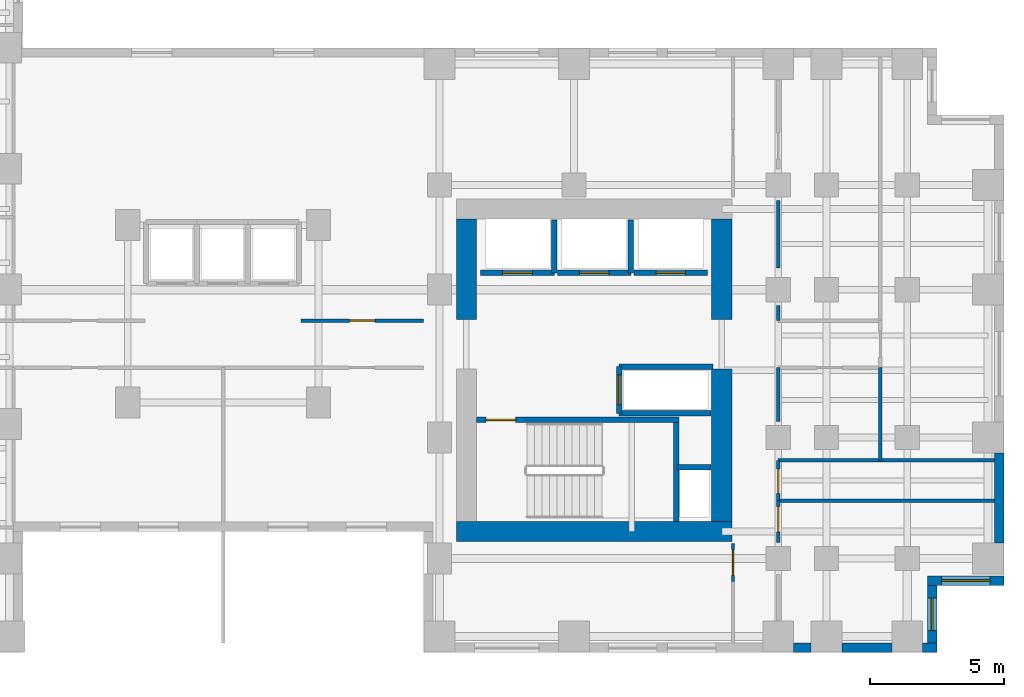
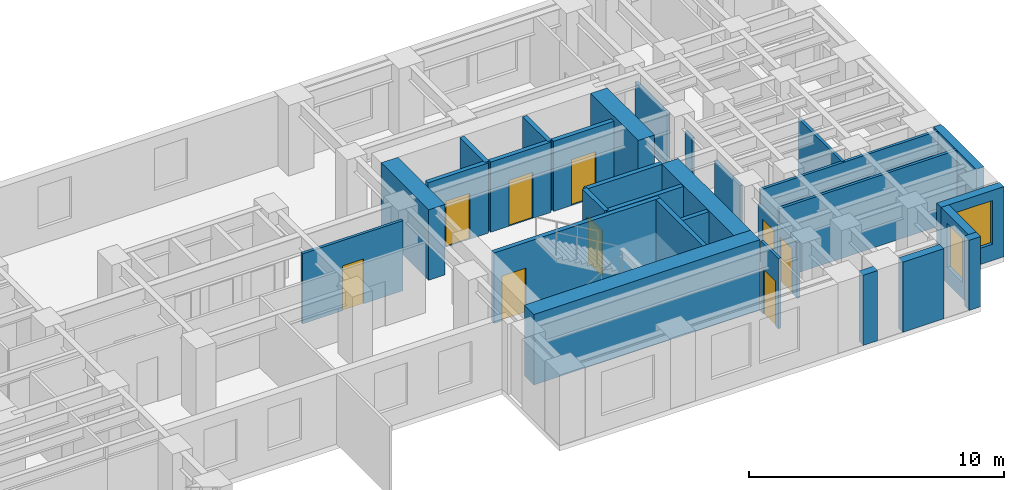
# One storey, part 8 of 13: 31 walls, 9 doors, 2 windows, 11 openings.
"""IFC4 building model written with IfcOpenShell, lengths in metres."""

from ifc_helpers import new_model, si_unit, direction, frame, frame_2d, origin, place, context, subcontext, project, spatial, rectangle, extrude, source, transform, mapped, material, layer, layer_set, type_object, element, fill, save


model = new_model("IFC4")

# Units and contexts
model_context = context("Model", 3, precision=1e-05, world=origin(), true_north=direction((0.0, 1.0)))
body_context = subcontext(model_context, "Body", "Model", "MODEL_VIEW")
ifc_project = project(units=[si_unit("LENGTHUNIT", "METRE"), si_unit("AREAUNIT", "SQUARE_METRE"), si_unit("VOLUMEUNIT", "CUBIC_METRE"), si_unit("PLANEANGLEUNIT", "RADIAN"), si_unit("MASSUNIT", "GRAM", prefix="KILO")], contexts=[model_context])

# Site, building, storey
site_placement = place(None, origin())
site = spatial("IfcSite", under=ifc_project, at=site_placement, CompositionType="ELEMENT")
building_placement = place(site_placement, origin())
building = spatial("IfcBuilding", under=site, at=building_placement, Name="Kharzan Plaza Tower", CompositionType="ELEMENT")
storey_placement = place(building_placement, frame((0.0, 0.0, 77.39990234375)))
storey = spatial("IfcBuildingStorey", under=building, at=storey_placement, Name="L20", CompositionType="ELEMENT", Elevation=77.39990234375)

# Wall, opening, window
ifc_material_1 = material(Name="Concrete C40/50", Category="concrete")
ifc_layer_1 = layer(ifc_material_1, 0.35009765625)
ifc_layer_set_1 = layer_set([ifc_layer_1], Name="Concrete C40/50")
wall_type_1 = type_object("IfcWallType", Name="WL-EXT-MAS-Z2", PredefinedType="SOLIDWALL", material=ifc_layer_set_1)
wall_1_placement = place(storey_placement, frame((53.324951171875, 0.347900390625, 0.0), z_axis=(0.0, 0.0, 1.0), x_axis=(0.0, 1.0, 0.0)))
wall_1 = element("IfcWall", 1, at=wall_1_placement, inside=storey, type_object=wall_type_1, Name="L20 Masonry-Frame Exterior Wall 36", PredefinedType="SOLIDWALL", context=body_context, shape_type="SweptSolid", body=[
    extrude(rectangle(XDim=2.154052734375, YDim=0.35009765625, at=frame_2d((1.0771484375, 0.0))), origin(), (0.0, 0.0, 1.0), 3.364990234375),
])
opening_1_placement = place(wall_1_placement, frame((0.47705078125, 0.0, 0.780029296875)))
opening_1 = element("IfcOpeningElement", 2, at=opening_1_placement, cuts=wall_1, Name="Opening W3", PredefinedType="OPENING", context=body_context, shape_type="SweptSolid", body=[
    extrude(rectangle(XDim=1.199951171875, YDim=2.10009765625, at=frame_2d((0.60009765625, 1.050048828125))), frame((0.0, 0.18505859375, 0.0), z_axis=(0.0, -1.0, 0.0), x_axis=(1.0, 0.0, 0.0)), (0.0, 0.0, 1.0), 0.3701171875),
])
ifc_material_2 = material(Name="Low-E Double Glazing", Category="glass")
window_type_1 = type_object("IfcWindowType", Name="WN-REC-1200x2100", PartitioningType="SINGLE_PANEL", PredefinedType="WINDOW", material=ifc_material_2)
shared_shape_1 = source(origin(), body_context, "Body", "SweptSolid", [
    extrude(rectangle(XDim=1.199951171875, YDim=2.10009765625, at=frame_2d((0.60009765625, 1.050048828125))), frame((0.0, 0.030029296875, 0.0), z_axis=(0.0, -1.0, 0.0), x_axis=(1.0, 0.0, 0.0)), (0.0, 0.0, 1.0), 0.06005859375),
])
window_1_placement = place(opening_1_placement, origin())
window_1 = element("IfcWindow", 3, at=window_1_placement, inside=storey, type_object=window_type_1, Name="L20 Recessed Solar-Control Window 36-1", OverallHeight=2.10009765625, OverallWidth=1.199951171875, PartitioningType="SINGLE_PANEL", PredefinedType="WINDOW", context=body_context, shape_type="MappedRepresentation", body=[
    mapped(shared_shape_1, transform((0.0, 0.0, 0.0), x_axis=(1.0, 0.0, 0.0), y_axis=(0.0, 1.0, 0.0), z_axis=(0.0, 0.0, 1.0))),
])
fill(opening_1, window_1)

wall_2_placement = place(storey_placement, frame((53.14990234375, 2.675048828125, 0.0), z_axis=(0.0, 0.0, 1.0), x_axis=(1.0, 0.0, 0.0)))
wall_2 = element("IfcWall", 4, at=wall_2_placement, inside=storey, type_object=wall_type_1, Name="L20 Masonry-Frame Exterior Wall 37", PredefinedType="SOLIDWALL", context=body_context, shape_type="SweptSolid", body=[
    extrude(rectangle(XDim=2.85009765625, YDim=0.35009765625, at=frame_2d((1.425048828125, 0.0))), origin(), (0.0, 0.0, 1.0), 3.364990234375),
])
opening_2_placement = place(wall_2_placement, frame((0.52490234375, 0.0, 0.780029296875)))
opening_2 = element("IfcOpeningElement", 5, at=opening_2_placement, cuts=wall_2, Name="Opening W1", PredefinedType="OPENING", context=body_context, shape_type="SweptSolid", body=[
    extrude(rectangle(XDim=1.800048828125, YDim=2.10009765625, at=frame_2d((0.89990234375, 1.050048828125))), frame((0.0, 0.18505859375, 0.0), z_axis=(0.0, -1.0, 0.0), x_axis=(1.0, 0.0, 0.0)), (0.0, 0.0, 1.0), 0.3701171875),
])
window_type_2 = type_object("IfcWindowType", Name="WN-REC-1800x2100", PartitioningType="SINGLE_PANEL", PredefinedType="WINDOW", material=ifc_material_2)
shared_shape_2 = source(origin(), body_context, "Body", "SweptSolid", [
    extrude(rectangle(XDim=1.800048828125, YDim=2.10009765625, at=frame_2d((0.89990234375, 1.050048828125))), frame((0.0, 0.030029296875, 0.0), z_axis=(0.0, -1.0, 0.0), x_axis=(1.0, 0.0, 0.0)), (0.0, 0.0, 1.0), 0.06005859375),
])
window_2_placement = place(opening_2_placement, origin())
window_2 = element("IfcWindow", 6, at=window_2_placement, inside=storey, type_object=window_type_2, Name="L20 Recessed Solar-Control Window 37-1", OverallHeight=2.10009765625, OverallWidth=1.800048828125, PartitioningType="SINGLE_PANEL", PredefinedType="WINDOW", context=body_context, shape_type="MappedRepresentation", body=[
    mapped(shared_shape_2, transform((0.0, 0.0, 0.0), x_axis=(1.0, 0.0, 0.0), y_axis=(0.0, 1.0, 0.0), z_axis=(0.0, 0.0, 1.0))),
])
fill(opening_2, window_2)

# Wall, opening, door
ifc_material_3 = material(Name="Fire-Rated Gypsum Board Partition", Category="gypsum")
ifc_layer_2 = layer(ifc_material_3, 0.125)
ifc_layer_set_2 = layer_set([ifc_layer_2], Name="Fire-Rated Gypsum Board Partition")
wall_type_2 = type_object("IfcWallType", Name="WL-INT-PART-125", PredefinedType="PARTITIONING", material=ifc_layer_set_2)
wall_3_placement = place(storey_placement, frame((47.60009765625, 4.090087890625, 0.0), z_axis=(0.0, 0.0, 1.0), x_axis=(0.0, 1.0, 0.0)))
wall_3 = element("IfcWall", 7, at=wall_3_placement, inside=storey, type_object=wall_type_2, Name="L20 Interior Partition SH-B2W0", PredefinedType="PARTITIONING", context=body_context, shape_type="SweptSolid", body=[
    extrude(rectangle(XDim=1.559814453125, YDim=0.125, at=frame_2d((0.77978515625, 0.0))), origin(), (0.0, 0.0, 1.0), 2.677001953125),
])
opening_3_placement = place(wall_3_placement, frame((0.38818359375, 0.0, 0.0)))
opening_3 = element("IfcOpeningElement", 8, at=opening_3_placement, cuts=wall_3, Name="Opening OD1", PredefinedType="OPENING", context=body_context, shape_type="SweptSolid", body=[
    extrude(rectangle(XDim=0.949951171875, YDim=2.14990234375, at=frame_2d((0.47509765625, 1.074951171875))), frame((0.0, 0.072509765625, 0.0), z_axis=(0.0, -1.0, 0.0), x_axis=(1.0, 0.0, 0.0)), (0.0, 0.0, 1.0), 0.14501953125),
])
ifc_material_4 = material(Name="Acoustic Solid-Core Stained Oak", Category="timber")
door_type_1 = type_object("IfcDoorType", Name="DR-OFF-SINGLE", OperationType="NOTDEFINED", PredefinedType="DOOR", material=ifc_material_4)
shared_shape_3 = source(origin(), body_context, "Body", "SweptSolid", [
    extrude(rectangle(XDim=0.949951171875, YDim=2.14990234375, at=frame_2d((0.47509765625, 1.074951171875))), frame((0.0, 0.02490234375, 0.0), z_axis=(0.0, -1.0, 0.0), x_axis=(1.0, 0.0, 0.0)), (0.0, 0.0, 1.0), 0.050048828125),
])
door_1_placement = place(opening_3_placement, origin())
door_1 = element("IfcDoor", 9, at=door_1_placement, inside=storey, type_object=door_type_1, Name="L20 Wing B South Office Door", OperationType="SINGLE_SWING_RIGHT", OverallHeight=2.14990234375, OverallWidth=0.949951171875, PredefinedType="DOOR", context=body_context, shape_type="MappedRepresentation", body=[
    mapped(shared_shape_3, transform((0.0, 0.0, 0.0), x_axis=(1.0, 0.0, 0.0), y_axis=(0.0, 1.0, 0.0), z_axis=(0.0, 0.0, 1.0))),
])
fill(opening_3, door_1)

wall_4_placement = place(storey_placement, frame((47.60009765625, 5.64990234375, 0.0), z_axis=(0.0, 0.0, 1.0), x_axis=(0.0, 1.0, 0.0)))
wall_4 = element("IfcWall", 10, at=wall_4_placement, inside=storey, type_object=wall_type_2, Name="L20 Interior Partition SH-B2WC", PredefinedType="PARTITIONING", context=body_context, shape_type="SweptSolid", body=[
    extrude(rectangle(XDim=1.5, YDim=0.125, at=frame_2d((0.75, 0.0))), origin(), (0.0, 0.0, 1.0), 2.677001953125),
])
opening_4_placement = place(wall_4_placement, frame((0.27490234375, 0.0, 0.0)))
opening_4 = element("IfcOpeningElement", 11, at=opening_4_placement, cuts=wall_4, Name="Opening WD1", PredefinedType="OPENING", context=body_context, shape_type="SweptSolid", body=[
    extrude(rectangle(XDim=0.89990234375, YDim=2.14990234375, at=frame_2d((0.449951171875, 1.074951171875))), frame((0.0, 0.072509765625, 0.0), z_axis=(0.0, -1.0, 0.0), x_axis=(1.0, 0.0, 0.0)), (0.0, 0.0, 1.0), 0.14501953125),
])
ifc_material_5 = material(Name="Moisture-Resistant Fire-Rated Laminate", Category="timber")
door_type_2 = type_object("IfcDoorType", Name="DR-WC-900", OperationType="NOTDEFINED", PredefinedType="DOOR", material=ifc_material_5)
shared_shape_4 = source(origin(), body_context, "Body", "SweptSolid", [
    extrude(rectangle(XDim=0.89990234375, YDim=2.14990234375, at=frame_2d((0.449951171875, 1.074951171875))), frame((0.0, 0.02490234375, 0.0), z_axis=(0.0, -1.0, 0.0), x_axis=(1.0, 0.0, 0.0)), (0.0, 0.0, 1.0), 0.050048828125),
])
door_2_placement = place(opening_4_placement, origin())
door_2 = element("IfcDoor", 12, at=door_2_placement, inside=storey, type_object=door_type_2, Name="L20 Wing B Washroom Door", OperationType="SINGLE_SWING_LEFT", OverallHeight=2.14990234375, OverallWidth=0.89990234375, PredefinedType="DOOR", context=body_context, shape_type="MappedRepresentation", body=[
    mapped(shared_shape_4, transform((0.0, 0.0, 0.0), x_axis=(1.0, 0.0, 0.0), y_axis=(0.0, 1.0, 0.0), z_axis=(0.0, 0.0, 1.0))),
])
fill(opening_4, door_2)

wall_5_placement = place(storey_placement, frame((45.919921875, 2.64990234375, 0.0), z_axis=(0.0, 0.0, 1.0), x_axis=(0.0, 1.0, 0.0)))
wall_5 = element("IfcWall", 13, at=wall_5_placement, inside=storey, type_object=wall_type_2, Name="L20 Interior Partition SH-RBSE", PredefinedType="PARTITIONING", context=body_context, shape_type="SweptSolid", body=[
    extrude(rectangle(XDim=1.400146484375, YDim=0.125, at=frame_2d((0.7001953125, 0.0))), origin(), (0.0, 0.0, 1.0), 3.364990234375),
])
opening_5_placement = place(wall_5_placement, frame((0.22509765625, 0.0, 0.0)))
opening_5 = element("IfcOpeningElement", 14, at=opening_5_placement, cuts=wall_5, Name="Opening OD1", PredefinedType="OPENING", context=body_context, shape_type="SweptSolid", body=[
    extrude(rectangle(XDim=0.949951171875, YDim=2.14990234375, at=frame_2d((0.47509765625, 1.074951171875))), frame((0.0, 0.072509765625, 0.0), z_axis=(0.0, -1.0, 0.0), x_axis=(1.0, 0.0, 0.0)), (0.0, 0.0, 1.0), 0.14501953125),
])
door_3_placement = place(opening_5_placement, origin())
door_3 = element("IfcDoor", 15, at=door_3_placement, inside=storey, type_object=door_type_1, Name="L20 South-East Corner Office Door", OperationType="SINGLE_SWING_RIGHT", OverallHeight=2.14990234375, OverallWidth=0.949951171875, PredefinedType="DOOR", context=body_context, shape_type="MappedRepresentation", body=[
    mapped(shared_shape_3, transform((0.0, 0.0, 0.0), x_axis=(1.0, 0.0, 0.0), y_axis=(0.0, 1.0, 0.0), z_axis=(0.0, 0.0, 1.0))),
])
fill(opening_5, door_3)

wall_6_placement = place(storey_placement, frame((29.85009765625, 12.35009765625, 0.0), z_axis=(0.0, 0.0, 1.0), x_axis=(1.0, 0.0, 0.0)))
wall_6 = element("IfcWall", 16, at=wall_6_placement, inside=storey, type_object=wall_type_2, Name="L20 Interior Partition SH-SPNE1", PredefinedType="PARTITIONING", context=body_context, shape_type="SweptSolid", body=[
    extrude(rectangle(XDim=4.5498046875, YDim=0.125, at=frame_2d((2.27490234375, 0.0))), origin(), (0.0, 0.0, 1.0), 3.364990234375),
])
opening_6_placement = place(wall_6_placement, frame((1.800048828125, 0.0, 0.0)))
opening_6 = element("IfcOpeningElement", 17, at=opening_6_placement, cuts=wall_6, Name="Opening OD1", PredefinedType="OPENING", context=body_context, shape_type="SweptSolid", body=[
    extrude(rectangle(XDim=0.949951171875, YDim=2.14990234375, at=frame_2d((0.47509765625, 1.074951171875))), frame((0.0, 0.072509765625, 0.0), z_axis=(0.0, -1.0, 0.0), x_axis=(1.0, 0.0, 0.0)), (0.0, 0.0, 1.0), 0.14501953125),
])
door_4_placement = place(opening_6_placement, origin())
door_4 = element("IfcDoor", 18, at=door_4_placement, inside=storey, type_object=door_type_1, Name="L20 North-East Spine Door", OperationType="SINGLE_SWING_LEFT", OverallHeight=2.14990234375, OverallWidth=0.949951171875, PredefinedType="DOOR", context=body_context, shape_type="MappedRepresentation", body=[
    mapped(shared_shape_3, transform((0.0, 0.0, 0.0), x_axis=(1.0, 0.0, 0.0), y_axis=(0.0, 1.0, 0.0), z_axis=(0.0, 0.0, 1.0))),
])
fill(opening_6, door_4)

ifc_layer_3 = layer(ifc_material_1, 0.199951171875)
ifc_layer_set_3 = layer_set([ifc_layer_3], Name="Concrete C40/50")
wall_type_3 = type_object("IfcWallType", Name="WL-INT-SHAFT-200", PredefinedType="PARTITIONING", material=ifc_layer_set_3)
wall_7_placement = place(storey_placement, frame((36.530029296875, 14.1298828125, 0.0), z_axis=(0.0, 0.0, 1.0), x_axis=(1.0, 0.0, 0.0)))
wall_7 = element("IfcWall", 19, at=wall_7_placement, inside=storey, type_object=wall_type_3, Name="L20 Interior Partition SHF-PL-L1-S", PredefinedType="PARTITIONING", context=body_context, shape_type="SweptSolid", body=[
    extrude(rectangle(XDim=2.739990234375, YDim=0.199951171875, at=frame_2d((1.3701171875, 0.0))), origin(), (0.0, 0.0, 1.0), 3.364990234375),
])
opening_7_placement = place(wall_7_placement, frame((0.820068359375, 0.0, 0.0)))
opening_7 = element("IfcOpeningElement", 20, at=opening_7_placement, cuts=wall_7, Name="Opening LD", PredefinedType="OPENING", context=body_context, shape_type="SweptSolid", body=[
    extrude(rectangle(XDim=1.10009765625, YDim=2.199951171875, at=frame_2d((0.550048828125, 1.10009765625))), frame((0.0, 0.10986328125, 0.0), z_axis=(0.0, -1.0, 0.0), x_axis=(1.0, 0.0, 0.0)), (0.0, 0.0, 1.0), 0.219970703125),
])
ifc_material_6 = material(Name="Brushed Stainless Steel", Category="steel")
door_type_3 = type_object("IfcDoorType", Name="DR-LIFT-SLIDE", OperationType="SLIDING_TO_LEFT", PredefinedType="DOOR", material=ifc_material_6)
shared_shape_5 = source(origin(), body_context, "Body", "SweptSolid", [
    extrude(rectangle(XDim=1.10009765625, YDim=2.199951171875, at=frame_2d((0.550048828125, 1.10009765625))), frame((0.0, 0.02490234375, 0.0), z_axis=(0.0, -1.0, 0.0), x_axis=(1.0, 0.0, 0.0)), (0.0, 0.0, 1.0), 0.050048828125),
])
door_5_placement = place(opening_7_placement, origin())
door_5 = element("IfcDoor", 21, at=door_5_placement, inside=storey, type_object=door_type_3, Name="L20 Low-Rise Passenger Lift PL-L1 Sliding Landing Door", OperationType="SLIDING_TO_LEFT", OverallHeight=2.199951171875, OverallWidth=1.10009765625, PredefinedType="DOOR", context=body_context, shape_type="MappedRepresentation", body=[
    mapped(shared_shape_5, transform((0.0, 0.0, 0.0), x_axis=(1.0, 0.0, 0.0), y_axis=(0.0, 1.0, 0.0), z_axis=(0.0, 0.0, 1.0))),
])
fill(opening_7, door_5)

wall_8_placement = place(storey_placement, frame((39.3798828125, 14.1298828125, 0.0), z_axis=(0.0, 0.0, 1.0), x_axis=(1.0, 0.0, 0.0)))
wall_8 = element("IfcWall", 22, at=wall_8_placement, inside=storey, type_object=wall_type_3, Name="L20 Interior Partition SHF-PL-L2-S", PredefinedType="PARTITIONING", context=body_context, shape_type="SweptSolid", body=[
    extrude(rectangle(XDim=2.740234375, YDim=0.199951171875, at=frame_2d((1.3701171875, 0.0))), origin(), (0.0, 0.0, 1.0), 3.364990234375),
])
opening_8_placement = place(wall_8_placement, frame((0.820068359375, 0.0, 0.0)))
opening_8 = element("IfcOpeningElement", 23, at=opening_8_placement, cuts=wall_8, Name="Opening LD", PredefinedType="OPENING", context=body_context, shape_type="SweptSolid", body=[
    extrude(rectangle(XDim=1.10009765625, YDim=2.199951171875, at=frame_2d((0.550048828125, 1.10009765625))), frame((0.0, 0.10986328125, 0.0), z_axis=(0.0, -1.0, 0.0), x_axis=(1.0, 0.0, 0.0)), (0.0, 0.0, 1.0), 0.219970703125),
])
door_6_placement = place(opening_8_placement, origin())
door_6 = element("IfcDoor", 24, at=door_6_placement, inside=storey, type_object=door_type_3, Name="L20 Low-Rise Passenger Lift PL-L2 Sliding Landing Door", OperationType="SLIDING_TO_LEFT", OverallHeight=2.199951171875, OverallWidth=1.10009765625, PredefinedType="DOOR", context=body_context, shape_type="MappedRepresentation", body=[
    mapped(shared_shape_5, transform((0.0, 0.0, 0.0), x_axis=(1.0, 0.0, 0.0), y_axis=(0.0, 1.0, 0.0), z_axis=(0.0, 0.0, 1.0))),
])
fill(opening_8, door_6)

wall_9_placement = place(storey_placement, frame((42.22998046875, 14.1298828125, 0.0), z_axis=(0.0, 0.0, 1.0), x_axis=(1.0, 0.0, 0.0)))
wall_9 = element("IfcWall", 25, at=wall_9_placement, inside=storey, type_object=wall_type_3, Name="L20 Interior Partition SHF-PL-L3-S", PredefinedType="PARTITIONING", context=body_context, shape_type="SweptSolid", body=[
    extrude(rectangle(XDim=2.739990234375, YDim=0.199951171875, at=frame_2d((1.3701171875, 0.0))), origin(), (0.0, 0.0, 1.0), 3.364990234375),
])
opening_9_placement = place(wall_9_placement, frame((0.820068359375, 0.0, 0.0)))
opening_9 = element("IfcOpeningElement", 26, at=opening_9_placement, cuts=wall_9, Name="Opening LD", PredefinedType="OPENING", context=body_context, shape_type="SweptSolid", body=[
    extrude(rectangle(XDim=1.10009765625, YDim=2.199951171875, at=frame_2d((0.550048828125, 1.10009765625))), frame((0.0, 0.10986328125, 0.0), z_axis=(0.0, -1.0, 0.0), x_axis=(1.0, 0.0, 0.0)), (0.0, 0.0, 1.0), 0.219970703125),
])
door_7_placement = place(opening_9_placement, origin())
door_7 = element("IfcDoor", 27, at=door_7_placement, inside=storey, type_object=door_type_3, Name="L20 Low-Rise Passenger Lift PL-L3 Sliding Landing Door", OperationType="SLIDING_TO_LEFT", OverallHeight=2.199951171875, OverallWidth=1.10009765625, PredefinedType="DOOR", context=body_context, shape_type="MappedRepresentation", body=[
    mapped(shared_shape_5, transform((0.0, 0.0, 0.0), x_axis=(1.0, 0.0, 0.0), y_axis=(0.0, 1.0, 0.0), z_axis=(0.0, 0.0, 1.0))),
])
fill(opening_9, door_7)

wall_10_placement = place(storey_placement, frame((41.679931640625, 8.89990234375, 0.0), z_axis=(0.0, 0.0, 1.0), x_axis=(0.0, 1.0, 0.0)))
wall_10 = element("IfcWall", 28, at=wall_10_placement, inside=storey, type_object=wall_type_3, Name="L20 Interior Partition SHF-SVL-2-W", PredefinedType="PARTITIONING", context=body_context, shape_type="SweptSolid", body=[
    extrude(rectangle(XDim=1.739990234375, YDim=0.199951171875, at=frame_2d((0.8701171875, 0.0))), origin(), (0.0, 0.0, 1.0), 3.364990234375),
])
opening_10_placement = place(wall_10_placement, frame((0.320068359375, 0.0, 0.0)))
opening_10 = element("IfcOpeningElement", 29, at=opening_10_placement, cuts=wall_10, Name="Opening LD", PredefinedType="OPENING", context=body_context, shape_type="SweptSolid", body=[
    extrude(rectangle(XDim=1.10009765625, YDim=2.199951171875, at=frame_2d((0.550048828125, 1.10009765625))), frame((0.0, 0.10986328125, 0.0), z_axis=(0.0, -1.0, 0.0), x_axis=(1.0, 0.0, 0.0)), (0.0, 0.0, 1.0), 0.219970703125),
])
door_8_placement = place(opening_10_placement, origin())
door_8 = element("IfcDoor", 30, at=door_8_placement, inside=storey, type_object=door_type_3, Name="L20 Service Lift SVL-2 Sliding Landing Door", OperationType="SLIDING_TO_LEFT", OverallHeight=2.199951171875, OverallWidth=1.10009765625, PredefinedType="DOOR", context=body_context, shape_type="MappedRepresentation", body=[
    mapped(shared_shape_5, transform((0.0, 0.0, 0.0), x_axis=(1.0, 0.0, 0.0), y_axis=(0.0, 1.0, 0.0), z_axis=(0.0, 0.0, 1.0))),
])
fill(opening_10, door_8)

ifc_material_7 = material(Name="Concrete C50/60", Category="concrete")
ifc_layer_4 = layer(ifc_material_7, 0.199951171875)
ifc_layer_set_4 = layer_set([ifc_layer_4], Name="Concrete C50/60")
wall_type_4 = type_object("IfcWallType", Name="WL-SHAFT-RC200", PredefinedType="SHEAR", material=ifc_layer_set_4)
wall_11_placement = place(storey_placement, frame((36.376953125, 8.655029296875, 0.0), z_axis=(0.0, 0.0, 1.0), x_axis=(1.0, 0.0, 0.0)))
wall_11 = element("IfcWall", 31, at=wall_11_placement, inside=storey, type_object=wall_type_4, Name="L20 Stair ST-3 North RC Shaft Wall", PredefinedType="SHEAR", context=body_context, shape_type="SweptSolid", body=[
    extrude(rectangle(XDim=7.528076171875, YDim=0.199951171875, at=frame_2d((3.76416015625, 0.0))), origin(), (0.0, 0.0, 1.0), 3.380126953125),
])
opening_11_placement = place(wall_11_placement, frame((0.35009765625, 0.0, 0.0)))
opening_11 = element("IfcOpeningElement", 32, at=opening_11_placement, cuts=wall_11, Name="Opening SD1", PredefinedType="OPENING", context=body_context, shape_type="SweptSolid", body=[
    extrude(rectangle(XDim=1.10009765625, YDim=2.14990234375, at=frame_2d((0.550048828125, 1.074951171875))), frame((0.0, 0.10986328125, 0.0), z_axis=(0.0, -1.0, 0.0), x_axis=(1.0, 0.0, 0.0)), (0.0, 0.0, 1.0), 0.219970703125),
])
ifc_material_8 = material(Name="Fire-Rated Hollow Galvanized Steel", Category="steel")
door_type_4 = type_object("IfcDoorType", Name="DR-STAIR-FD120", OperationType="NOTDEFINED", PredefinedType="DOOR", material=ifc_material_8)
shared_shape_6 = source(origin(), body_context, "Body", "SweptSolid", [
    extrude(rectangle(XDim=1.10009765625, YDim=2.14990234375, at=frame_2d((0.550048828125, 1.074951171875))), frame((0.0, 0.02490234375, 0.0), z_axis=(0.0, -1.0, 0.0), x_axis=(1.0, 0.0, 0.0)), (0.0, 0.0, 1.0), 0.050048828125),
])
door_9_placement = place(opening_11_placement, origin())
door_9 = element("IfcDoor", 33, at=door_9_placement, inside=storey, type_object=door_type_4, Name="L20 Stair ST-3 Fire Exit Door", OperationType="SINGLE_SWING_LEFT", OverallHeight=2.14990234375, OverallWidth=1.10009765625, PredefinedType="DOOR", context=body_context, shape_type="MappedRepresentation", body=[
    mapped(shared_shape_6, transform((0.0, 0.0, 0.0), x_axis=(1.0, 0.0, 0.0), y_axis=(0.0, 1.0, 0.0), z_axis=(0.0, 0.0, 1.0))),
])
fill(opening_11, door_9)

# Walls
shared_shape_7 = source(origin(), body_context, "Body", "SweptSolid", [
    extrude(rectangle(XDim=3.489990234375, YDim=0.199951171875, at=frame_2d((1.7451171875, 0.0))), origin(), (0.0, 0.0, 1.0), 3.364990234375),
])
wall_12_placement = place(storey_placement, frame((41.679931640625, 10.639892578125, 0.0), z_axis=(0.0, 0.0, 1.0), x_axis=(1.0, 0.0, 0.0)))
element("IfcWall", 34, at=wall_12_placement, inside=storey, type_object=wall_type_3, Name="L20 Interior Partition SHF-SVL-2-N", PredefinedType="PARTITIONING", context=body_context, shape_type="MappedRepresentation", body=[
    mapped(shared_shape_7, transform((0.0, 0.0, 0.0), x_axis=(1.0, 0.0, 0.0), y_axis=(0.0, 1.0, 0.0), z_axis=(0.0, 0.0, 1.0))),
])
shared_shape_8 = source(origin(), body_context, "Body", "SweptSolid", [
    extrude(rectangle(XDim=3.4501953125, YDim=0.125, at=frame_2d((1.72509765625, 0.0))), origin(), (0.0, 0.0, 1.0), 3.364990234375),
])
wall_13_placement = place(storey_placement, frame((51.39990234375, 7.14990234375, 0.0), z_axis=(0.0, 0.0, 1.0), x_axis=(0.0, 1.0, 0.0)))
element("IfcWall", 35, at=wall_13_placement, inside=storey, type_object=wall_type_2, Name="L20 Interior Partition SH-B2V1", PredefinedType="PARTITIONING", context=body_context, shape_type="MappedRepresentation", body=[
    mapped(shared_shape_8, transform((0.0, 0.0, 0.0), x_axis=(1.0, 0.0, 0.0), y_axis=(0.0, 1.0, 0.0), z_axis=(0.0, 0.0, 1.0))),
])
ifc_material_9 = material(Name="Concrete C60/75", Category="concrete")
ifc_layer_5 = layer(ifc_material_9, 0.75)
ifc_layer_set_5 = layer_set([ifc_layer_5], Name="Concrete C60/75")
wall_type_5 = type_object("IfcWallType", Name="WL-CORE-750", PredefinedType="SHEAR", material=ifc_layer_set_5)
shared_shape_9 = source(origin(), body_context, "Body", "SweptSolid", [
    extrude(rectangle(XDim=5.675048828125, YDim=0.75, at=frame_2d((2.83740234375, 0.0))), origin(), (0.0, 0.0, 1.0), 3.380126953125),
])
wall_14_placement = place(storey_placement, frame((45.5, 4.875, 0.0), z_axis=(0.0, 0.0, 1.0), x_axis=(0.0, 1.0, 0.0)))
element("IfcWall", 36, at=wall_14_placement, inside=storey, type_object=wall_type_5, Name="L20 CORE-B east shear pier 1", PredefinedType="SHEAR", context=body_context, shape_type="MappedRepresentation", body=[
    mapped(shared_shape_9, transform((0.0, 0.0, 0.0), x_axis=(1.0, 0.0, 0.0), y_axis=(0.0, 1.0, 0.0), z_axis=(0.0, 0.0, 1.0))),
])
shared_shape_10 = source(origin(), body_context, "Body", "SweptSolid", [
    extrude(rectangle(XDim=3.72509765625, YDim=0.75, at=frame_2d((1.862548828125, 0.0))), origin(), (0.0, 0.0, 1.0), 3.380126953125),
])
for number, where, z_axis, x_axis, name in (
    (37, (45.5, 12.39990234375, 0.0), (0.0, 0.0, 1.0), (0.0, 1.0, 0.0), "L20 CORE-B east shear pier 2"),
    (38, (36.0, 12.39990234375, 0.0), (0.0, 0.0, 1.0), (0.0, 1.0, 0.0), "L20 CORE-B west shear pier 2"),
):
    element("IfcWall", number, at=place(storey_placement, frame(where, z_axis=z_axis, x_axis=x_axis)), inside=storey, type_object=wall_type_5, Name=name, PredefinedType="SHEAR", context=body_context, shape_type="MappedRepresentation", body=[
        mapped(shared_shape_10, transform((0.0, 0.0, 0.0), x_axis=(1.0, 0.0, 0.0), y_axis=(0.0, 1.0, 0.0), z_axis=(0.0, 0.0, 1.0))),
    ])
shared_shape_11 = source(origin(), body_context, "Body", "SweptSolid", [
    extrude(rectangle(XDim=10.25, YDim=0.75, at=frame_2d((5.125, 0.0))), origin(), (0.0, 0.0, 1.0), 3.380126953125),
])
wall_15_placement = place(storey_placement, frame((35.625, 4.5, 0.0), z_axis=(0.0, 0.0, 1.0), x_axis=(1.0, 0.0, 0.0)))
element("IfcWall", 39, at=wall_15_placement, inside=storey, type_object=wall_type_5, Name="L20 CORE-B south RC shear wall", PredefinedType="SHEAR", context=body_context, shape_type="MappedRepresentation", body=[
    mapped(shared_shape_11, transform((0.0, 0.0, 0.0), x_axis=(1.0, 0.0, 0.0), y_axis=(0.0, 1.0, 0.0), z_axis=(0.0, 0.0, 1.0))),
])
shared_shape_12 = source(origin(), body_context, "Body", "SweptSolid", [
    extrude(rectangle(XDim=0.65380859375, YDim=0.35009765625, at=frame_2d((0.326904296875, 0.0))), origin(), (0.0, 0.0, 1.0), 3.364990234375),
])
wall_16_placement = place(storey_placement, frame((48.173095703125, 0.175048828125, 0.0), z_axis=(0.0, 0.0, 1.0), x_axis=(1.0, 0.0, 0.0)))
element("IfcWall", 40, at=wall_16_placement, inside=storey, type_object=wall_type_1, Name="L20 Masonry-Frame Exterior Wall 33", PredefinedType="SOLIDWALL", context=body_context, shape_type="MappedRepresentation", body=[
    mapped(shared_shape_12, transform((0.0, 0.0, 0.0), x_axis=(1.0, 0.0, 0.0), y_axis=(0.0, 1.0, 0.0), z_axis=(0.0, 0.0, 1.0))),
])
shared_shape_13 = source(origin(), body_context, "Body", "SweptSolid", [
    extrude(rectangle(XDim=1.85400390625, YDim=0.35009765625, at=frame_2d((0.927001953125, 0.0))), origin(), (0.0, 0.0, 1.0), 3.364990234375),
])
wall_17_placement = place(storey_placement, frame((49.972900390625, 0.175048828125, 0.0), z_axis=(0.0, 0.0, 1.0), x_axis=(1.0, 0.0, 0.0)))
element("IfcWall", 41, at=wall_17_placement, inside=storey, type_object=wall_type_1, Name="L20 Masonry-Frame Exterior Wall 34", PredefinedType="SOLIDWALL", context=body_context, shape_type="MappedRepresentation", body=[
    mapped(shared_shape_13, transform((0.0, 0.0, 0.0), x_axis=(1.0, 0.0, 0.0), y_axis=(0.0, 1.0, 0.0), z_axis=(0.0, 0.0, 1.0))),
])
shared_shape_14 = source(origin(), body_context, "Body", "SweptSolid", [
    extrude(rectangle(XDim=0.527099609375, YDim=0.35009765625, at=frame_2d((0.263671875, 0.0))), origin(), (0.0, 0.0, 1.0), 3.364990234375),
])
wall_18_placement = place(storey_placement, frame((52.972900390625, 0.175048828125, 0.0), z_axis=(0.0, 0.0, 1.0), x_axis=(1.0, 0.0, 0.0)))
element("IfcWall", 42, at=wall_18_placement, inside=storey, type_object=wall_type_1, Name="L20 Masonry-Frame Exterior Wall 35", PredefinedType="SOLIDWALL", context=body_context, shape_type="MappedRepresentation", body=[
    mapped(shared_shape_14, transform((0.0, 0.0, 0.0), x_axis=(1.0, 0.0, 0.0), y_axis=(0.0, 1.0, 0.0), z_axis=(0.0, 0.0, 1.0))),
])
shared_shape_15 = source(origin(), body_context, "Body", "SweptSolid", [
    extrude(rectangle(XDim=3.35400390625, YDim=0.35009765625, at=frame_2d((1.677001953125, 0.0))), origin(), (0.0, 0.0, 1.0), 3.364990234375),
])
wall_19_placement = place(storey_placement, frame((55.824951171875, 4.072998046875, 0.0), z_axis=(0.0, 0.0, 1.0), x_axis=(0.0, 1.0, 0.0)))
element("IfcWall", 43, at=wall_19_placement, inside=storey, type_object=wall_type_1, Name="L20 Masonry-Frame Exterior Wall 38", PredefinedType="SOLIDWALL", context=body_context, shape_type="MappedRepresentation", body=[
    mapped(shared_shape_15, transform((0.0, 0.0, 0.0), x_axis=(1.0, 0.0, 0.0), y_axis=(0.0, 1.0, 0.0), z_axis=(0.0, 0.0, 1.0))),
])
shared_shape_16 = source(origin(), body_context, "Body", "SweptSolid", [
    extrude(rectangle(XDim=0.559814453125, YDim=0.125, at=frame_2d((0.27978515625, 0.0))), origin(), (0.0, 0.0, 1.0), 2.677001953125),
])
wall_20_placement = place(storey_placement, frame((47.60009765625, 12.35009765625, 0.0), z_axis=(0.0, 0.0, 1.0), x_axis=(0.0, 1.0, 0.0)))
element("IfcWall", 44, at=wall_20_placement, inside=storey, type_object=wall_type_2, Name="L20 Interior Partition SH-B2W3S", PredefinedType="PARTITIONING", context=body_context, shape_type="MappedRepresentation", body=[
    mapped(shared_shape_16, transform((0.0, 0.0, 0.0), x_axis=(1.0, 0.0, 0.0), y_axis=(0.0, 1.0, 0.0), z_axis=(0.0, 0.0, 1.0))),
])
shared_shape_17 = source(origin(), body_context, "Body", "SweptSolid", [
    extrude(rectangle(XDim=8.0478515625, YDim=0.125, at=frame_2d((4.02392578125, 0.0))), origin(), (0.0, 0.0, 1.0), 3.364990234375),
])
for number, where, z_axis, x_axis, name in (
    (45, (47.60009765625, 5.64990234375, 0.0), (0.0, 0.0, 1.0), (1.0, 0.0, 0.0), "L20 Interior Partition SH-B2H1"),
    (46, (47.60009765625, 7.14990234375, 0.0), (0.0, 0.0, 1.0), (1.0, 0.0, 0.0), "L20 Interior Partition SH-B2H2"),
):
    element("IfcWall", number, at=place(storey_placement, frame(where, z_axis=z_axis, x_axis=x_axis)), inside=storey, type_object=wall_type_2, Name=name, PredefinedType="PARTITIONING", context=body_context, shape_type="MappedRepresentation", body=[
        mapped(shared_shape_17, transform((0.0, 0.0, 0.0), x_axis=(1.0, 0.0, 0.0), y_axis=(0.0, 1.0, 0.0), z_axis=(0.0, 0.0, 1.0))),
    ])
shared_shape_18 = source(origin(), body_context, "Body", "SweptSolid", [
    extrude(rectangle(XDim=2.010009765625, YDim=0.125, at=frame_2d((1.0048828125, 0.0))), origin(), (0.0, 0.0, 1.0), 2.677001953125),
])
wall_21_placement = place(storey_placement, frame((47.60009765625, 8.590087890625, 0.0), z_axis=(0.0, 0.0, 1.0), x_axis=(0.0, 1.0, 0.0)))
element("IfcWall", 47, at=wall_21_placement, inside=storey, type_object=wall_type_2, Name="L20 Interior Partition SH-B2W1C", PredefinedType="PARTITIONING", context=body_context, shape_type="MappedRepresentation", body=[
    mapped(shared_shape_18, transform((0.0, 0.0, 0.0), x_axis=(1.0, 0.0, 0.0), y_axis=(0.0, 1.0, 0.0), z_axis=(0.0, 0.0, 1.0))),
])
shared_shape_19 = source(origin(), body_context, "Body", "SweptSolid", [
    extrude(rectangle(XDim=2.510009765625, YDim=0.125, at=frame_2d((1.2548828125, 0.0))), origin(), (0.0, 0.0, 1.0), 2.677001953125),
])
wall_22_placement = place(storey_placement, frame((47.60009765625, 14.300048828125, 0.0), z_axis=(0.0, 0.0, 1.0), x_axis=(0.0, 1.0, 0.0)))
element("IfcWall", 48, at=wall_22_placement, inside=storey, type_object=wall_type_2, Name="L20 Interior Partition SH-B2W3D-S1", PredefinedType="PARTITIONING", context=body_context, shape_type="MappedRepresentation", body=[
    mapped(shared_shape_19, transform((0.0, 0.0, 0.0), x_axis=(1.0, 0.0, 0.0), y_axis=(0.0, 1.0, 0.0), z_axis=(0.0, 0.0, 1.0))),
])
shared_shape_20 = source(origin(), body_context, "Body", "SweptSolid", [
    extrude(rectangle(XDim=1.244873046875, YDim=0.199951171875, at=frame_2d((0.62255859375, 0.0))), origin(), (0.0, 0.0, 1.0), 3.364990234375),
])
wall_23_placement = place(storey_placement, frame((43.85009765625, 6.89990234375, 0.0), z_axis=(0.0, 0.0, 1.0), x_axis=(1.0, 0.0, 0.0)))
element("IfcWall", 49, at=wall_23_placement, inside=storey, type_object=wall_type_3, Name="L20 Interior Partition CB-RSRB-N", PredefinedType="PARTITIONING", context=body_context, shape_type="MappedRepresentation", body=[
    mapped(shared_shape_20, transform((0.0, 0.0, 0.0), x_axis=(1.0, 0.0, 0.0), y_axis=(0.0, 1.0, 0.0), z_axis=(0.0, 0.0, 1.0))),
])
shared_shape_21 = source(origin(), body_context, "Body", "SweptSolid", [
    extrude(rectangle(XDim=1.965087890625, YDim=0.199951171875, at=frame_2d((0.982421875, 0.0))), origin(), (0.0, 0.0, 1.0), 3.364990234375),
])
for number, where, z_axis, x_axis, name in (
    (50, (39.27001953125, 14.1298828125, 0.0), (0.0, 0.0, 1.0), (0.0, 1.0, 0.0), "L20 Interior Partition SHF-PL-L1-E"),
    (51, (42.1201171875, 14.1298828125, 0.0), (0.0, 0.0, 1.0), (0.0, 1.0, 0.0), "L20 Interior Partition SHF-PL-L2-E"),
):
    element("IfcWall", number, at=place(storey_placement, frame(where, z_axis=z_axis, x_axis=x_axis)), inside=storey, type_object=wall_type_3, Name=name, PredefinedType="PARTITIONING", context=body_context, shape_type="MappedRepresentation", body=[
        mapped(shared_shape_21, transform((0.0, 0.0, 0.0), x_axis=(1.0, 0.0, 0.0), y_axis=(0.0, 1.0, 0.0), z_axis=(0.0, 0.0, 1.0))),
    ])
shared_shape_22 = source(origin(), body_context, "Body", "SweptSolid", [
    extrude(rectangle(XDim=3.4150390625, YDim=0.199951171875, at=frame_2d((1.70751953125, 0.0))), origin(), (0.0, 0.0, 1.0), 3.364990234375),
])
wall_24_placement = place(storey_placement, frame((41.679931640625, 8.89990234375, 0.0), z_axis=(0.0, 0.0, 1.0), x_axis=(1.0, 0.0, 0.0)))
element("IfcWall", 52, at=wall_24_placement, inside=storey, type_object=wall_type_3, Name="L20 Interior Partition SHF-SVL-2-S", PredefinedType="PARTITIONING", context=body_context, shape_type="MappedRepresentation", body=[
    mapped(shared_shape_22, transform((0.0, 0.0, 0.0), x_axis=(1.0, 0.0, 0.0), y_axis=(0.0, 1.0, 0.0), z_axis=(0.0, 0.0, 1.0))),
])
shared_shape_23 = source(origin(), body_context, "Body", "SweptSolid", [
    extrude(rectangle(XDim=3.677978515625, YDim=0.199951171875, at=frame_2d((1.8388671875, 0.0))), origin(), (0.0, 0.0, 1.0), 3.380126953125),
])
wall_25_placement = place(storey_placement, frame((43.804931640625, 4.876953125, 0.0), z_axis=(0.0, 0.0, 1.0), x_axis=(0.0, 1.0, 0.0)))
element("IfcWall", 53, at=wall_25_placement, inside=storey, type_object=wall_type_4, Name="L20 Stair ST-3 East RC Shaft Wall", PredefinedType="SHEAR", context=body_context, shape_type="MappedRepresentation", body=[
    mapped(shared_shape_23, transform((0.0, 0.0, 0.0), x_axis=(1.0, 0.0, 0.0), y_axis=(0.0, 1.0, 0.0), z_axis=(0.0, 0.0, 1.0))),
])

save(model, "model.ifc")
